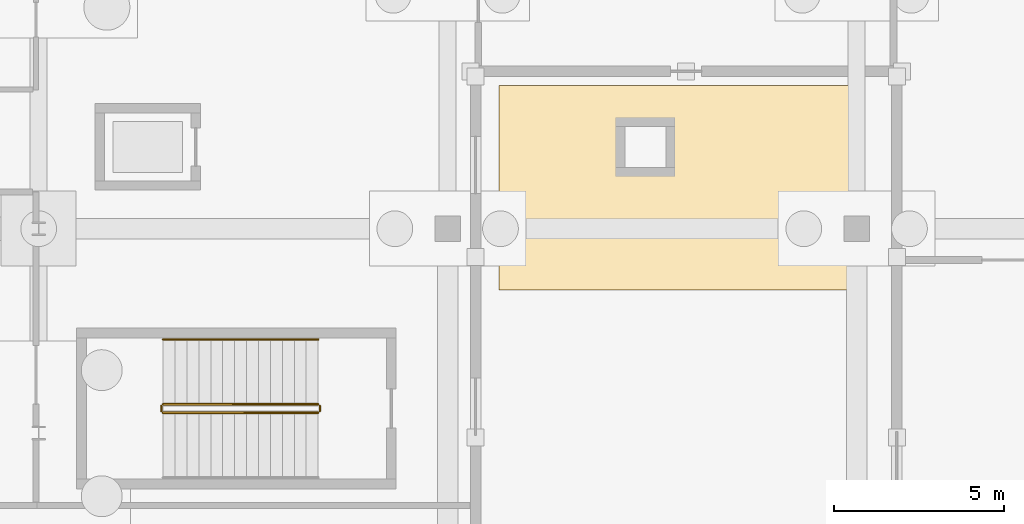
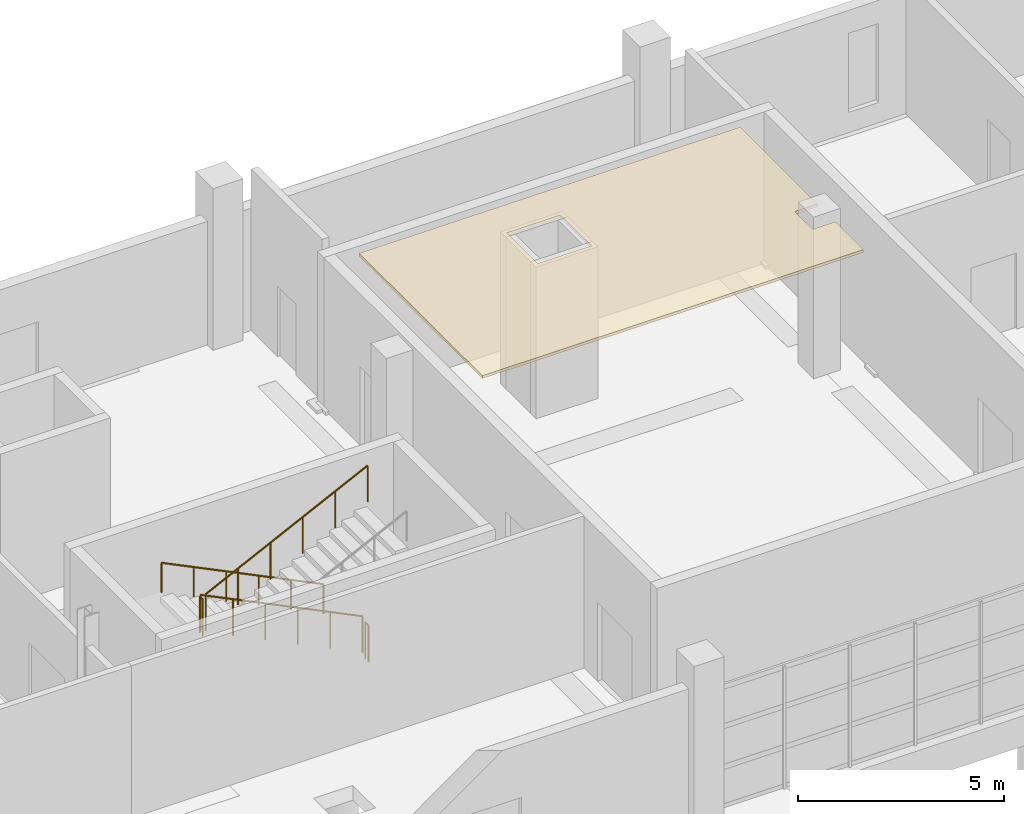
# One storey, part 80 of 82: 5 railings, 1 covering.
"""IFC4 building model written with IfcOpenShell, lengths in metres."""

from ifc_helpers import new_model, si_unit, direction, frame, origin, origin_2d, place, context, subcontext, project, spatial, polyline, circle, outline, extrude, material, layer, layer_set, type_object, element, save


model = new_model("IFC4")

# Units and contexts
model_context = context("Model", 3, precision=1e-05, world=origin(), true_north=direction((0.0, 1.0)))
body_context = subcontext(model_context, "Body", "Model", "MODEL_VIEW")
ifc_project = project(units=[si_unit("LENGTHUNIT", "METRE"), si_unit("AREAUNIT", "SQUARE_METRE"), si_unit("VOLUMEUNIT", "CUBIC_METRE"), si_unit("PLANEANGLEUNIT", "RADIAN"), si_unit("MASSUNIT", "GRAM", prefix="KILO")], contexts=[model_context])

# Site, building, storey
site_placement = place(None, origin())
site = spatial("IfcSite", under=ifc_project, at=site_placement, CompositionType="ELEMENT")
building_placement = place(site_placement, origin())
building = spatial("IfcBuilding", under=site, at=building_placement, Name="Kelmvaro Bay Concert Hall", CompositionType="ELEMENT")
storey_placement = place(building_placement, origin())
storey = spatial("IfcBuildingStorey", under=building, at=storey_placement, Name="L00", CompositionType="ELEMENT", Elevation=0.0)

# Covering
ifc_material_1 = material(Name="Curved Laminated Rock Maple Acoustic Panel")
ifc_layer = layer(ifc_material_1, 0.0849609375)
ifc_layer_set = layer_set([ifc_layer], Name="Curved Laminated Rock Maple Acoustic Panel")
covering_type = type_object("IfcCoveringType", Name="Curved Maple Acoustic Reflector Cloud Ceiling 85", PredefinedType="CEILING", material=ifc_layer_set)
covering_placement = place(storey_placement, frame((0.0, 0.0, 4.4150390625)))
element("IfcCovering", 1, at=covering_placement, inside=storey, type_object=covering_type, Name="L00 Acoustic Ceiling 03", PredefinedType="CEILING", context=body_context, shape_type="SweptSolid", body=[
    extrude(outline(polyline([(145.5, 87.0), (145.5, 93.0), (156.199951171875, 93.0), (156.199951171875, 89.235107421875), (155.56494140625, 89.235107421875), (155.56494140625, 88.364990234375), (156.199951171875, 88.364990234375), (156.199951171875, 87.0), (145.5, 87.0)]), holes=[polyline([(150.550048828125, 91.949951171875), (149.050048828125, 91.949951171875), (149.050048828125, 90.449951171875), (150.550048828125, 90.449951171875), (150.550048828125, 91.949951171875)])]), origin(), (0.0, 0.0, 1.0), 0.0849609375),
])

# Railings
ifc_material_2 = material(Name="Brushed Stainless Steel 316", Category="steel")
railing_type_1 = type_object("IfcRailingType", Name="Stair Stainless Wall Handrail 900", PredefinedType="HANDRAIL", material=ifc_material_2)
railing_1_placement = place(storey_placement, frame((140.199951171875, 85.550048828125, 0.17138671875)))
element("IfcRailing", 2, at=railing_1_placement, inside=storey, type_object=railing_type_1, Name="L00 ST-07 stair handrail 1", PredefinedType="HANDRAIL", context=body_context, shape_type="SweptSolid", body=[
    extrude(circle(Radius=0.02392578125, at=origin_2d()), frame((0.0, 0.0, 0.8759765625), z_axis=(-0.89806892354, 0.0, 0.439854758495), x_axis=(0.0, -1.0, 0.0)), (0.0, 0.0, 1.0), 5.06640625),
    extrude(circle(Radius=0.02099609375, at=origin_2d()), origin(), (0.0, 0.0, 1.0), 0.851806640625),
    extrude(circle(Radius=0.02099609375, at=origin_2d()), frame((-0.909912109375, 0.0, 0.44580078125)), (0.0, 0.0, 1.0), 0.851806640625),
    extrude(circle(Radius=0.02099609375, at=origin_2d()), frame((-1.820068359375, 0.0, 0.891357421875)), (0.0, 0.0, 1.0), 0.851806640625),
    extrude(circle(Radius=0.02099609375, at=origin_2d()), frame((-2.72998046875, 0.0, 1.337158203125)), (0.0, 0.0, 1.0), 0.851806640625),
    extrude(circle(Radius=0.02099609375, at=origin_2d()), frame((-3.64013671875, 0.0, 1.78271484375)), (0.0, 0.0, 1.0), 0.851806640625),
    extrude(circle(Radius=0.02099609375, at=origin_2d()), frame((-4.550048828125, 0.0, 2.228515625)), (0.0, 0.0, 1.0), 0.851806640625),
])
ifc_material_3 = material(Name="Powder-Coated Steel ASTM A500", Category="steel")
railing_type_2 = type_object("IfcRailingType", Name="Stair Well Painted Steel Guard 1100", PredefinedType="BALUSTRADE", material=ifc_material_3)
railing_2_placement = place(storey_placement, frame((140.199951171875, 83.64990234375, 0.17138671875)))
element("IfcRailing", 3, at=railing_2_placement, inside=storey, type_object=railing_type_2, Name="L00 ST-07 stair guard 1", PredefinedType="BALUSTRADE", context=body_context, shape_type="SweptSolid", body=[
    extrude(circle(Radius=0.02392578125, at=origin_2d()), frame((0.0, 0.0, 1.076171875), z_axis=(-0.89806892354, 0.0, 0.439854758495), x_axis=(0.0, -1.0, 0.0)), (0.0, 0.0, 1.0), 5.06640625),
    extrude(circle(Radius=0.02099609375, at=origin_2d()), origin(), (0.0, 0.0, 1.0), 1.052001953125),
    extrude(circle(Radius=0.02099609375, at=origin_2d()), frame((-0.909912109375, 0.0, 0.44580078125)), (0.0, 0.0, 1.0), 1.052001953125),
    extrude(circle(Radius=0.02099609375, at=origin_2d()), frame((-1.820068359375, 0.0, 0.891357421875)), (0.0, 0.0, 1.0), 1.052001953125),
    extrude(circle(Radius=0.02099609375, at=origin_2d()), frame((-2.72998046875, 0.0, 1.337158203125)), (0.0, 0.0, 1.0), 1.052001953125),
    extrude(circle(Radius=0.02099609375, at=origin_2d()), frame((-3.64013671875, 0.0, 1.78271484375)), (0.0, 0.0, 1.0), 1.052001953125),
    extrude(circle(Radius=0.02099609375, at=origin_2d()), frame((-4.550048828125, 0.0, 2.228515625)), (0.0, 0.0, 1.0), 1.052001953125),
])
railing_3_placement = place(storey_placement, frame((135.60009765625, 83.60009765625, 2.39990234375)))
element("IfcRailing", 4, at=railing_3_placement, inside=storey, type_object=railing_type_2, Name="L00 ST-07 stair guard 2", PredefinedType="BALUSTRADE", context=body_context, shape_type="SweptSolid", body=[
    extrude(circle(Radius=0.02392578125, at=origin_2d()), frame((0.0, 0.0, 1.076171875), z_axis=(0.0, -1.0, 0.0), x_axis=(1.0, 0.0, 0.0)), (0.0, 0.0, 1.0), 0.150146484375),
    extrude(circle(Radius=0.02099609375, at=origin_2d()), origin(), (0.0, 0.0, 1.0), 1.052001953125),
    extrude(circle(Radius=0.02099609375, at=origin_2d()), frame((0.0, -0.150146484375, 0.0)), (0.0, 0.0, 1.0), 1.052001953125),
])
railing_4_placement = place(storey_placement, frame((135.64990234375, 83.39990234375, 2.571533203125)))
element("IfcRailing", 5, at=railing_4_placement, inside=storey, type_object=railing_type_2, Name="L00 ST-07 stair guard 3", PredefinedType="BALUSTRADE", context=body_context, shape_type="SweptSolid", body=[
    extrude(circle(Radius=0.02392578125, at=origin_2d()), frame((0.0, 0.0, 1.076171875), z_axis=(0.89806892354, 0.0, 0.439854758495), x_axis=(0.0, 1.0, 0.0)), (0.0, 0.0, 1.0), 5.06640625),
    extrude(circle(Radius=0.02099609375, at=origin_2d()), origin(), (0.0, 0.0, 1.0), 1.052001953125),
    extrude(circle(Radius=0.02099609375, at=origin_2d()), frame((0.909912109375, 0.0, 0.44580078125)), (0.0, 0.0, 1.0), 1.052001953125),
    extrude(circle(Radius=0.02099609375, at=origin_2d()), frame((1.820068359375, 0.0, 0.891357421875)), (0.0, 0.0, 1.0), 1.052001953125),
    extrude(circle(Radius=0.02099609375, at=origin_2d()), frame((2.72998046875, 0.0, 1.337158203125)), (0.0, 0.0, 1.0), 1.052001953125),
    extrude(circle(Radius=0.02099609375, at=origin_2d()), frame((3.64013671875, 0.0, 1.78271484375)), (0.0, 0.0, 1.0), 1.052001953125),
    extrude(circle(Radius=0.02099609375, at=origin_2d()), frame((4.550048828125, 0.0, 2.228515625)), (0.0, 0.0, 1.0), 1.052001953125),
])
railing_5_placement = place(storey_placement, frame((140.25, 83.60009765625, 0.0)))
element("IfcRailing", 6, at=railing_5_placement, inside=storey, type_object=railing_type_2, Name="L00 ST-07 stair guard 4", PredefinedType="BALUSTRADE", context=body_context, shape_type="SweptSolid", body=[
    extrude(circle(Radius=0.02392578125, at=origin_2d()), frame((0.0, 0.0, 1.076171875), z_axis=(0.0, -1.0, 0.0), x_axis=(1.0, 0.0, 0.0)), (0.0, 0.0, 1.0), 0.150146484375),
    extrude(circle(Radius=0.02099609375, at=origin_2d()), origin(), (0.0, 0.0, 1.0), 1.052001953125),
    extrude(circle(Radius=0.02099609375, at=origin_2d()), frame((0.0, -0.150146484375, 0.0)), (0.0, 0.0, 1.0), 1.052001953125),
])

save(model, "model.ifc")
